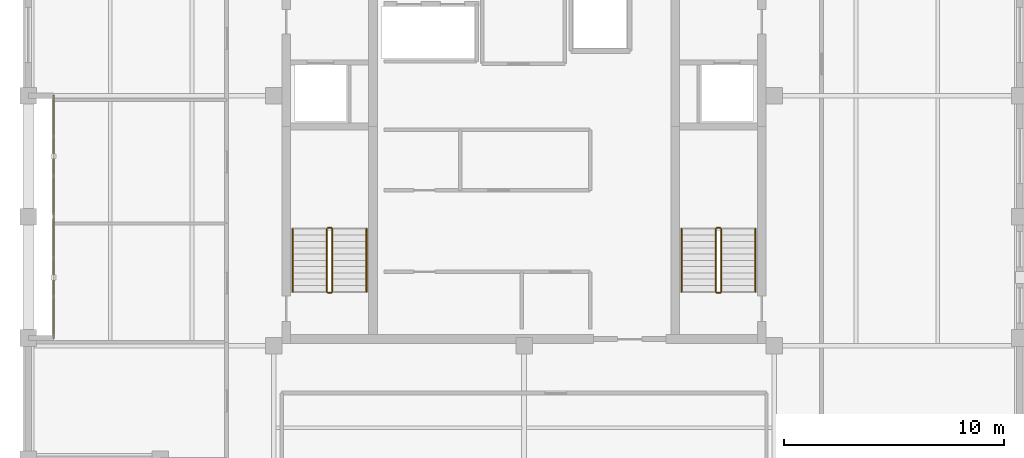
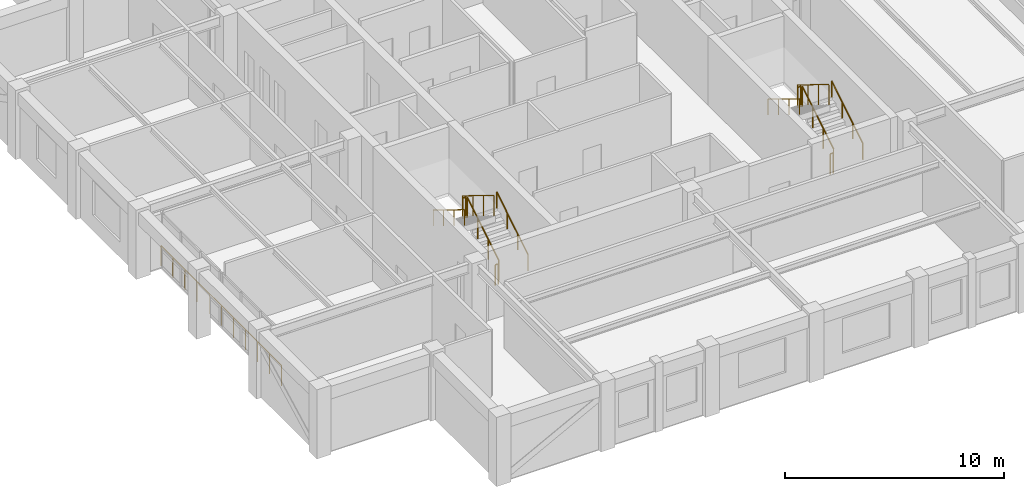
# One storey, part 10 of 10: 14 railings.
"""IFC4 building model written with IfcOpenShell, lengths in metres."""

from ifc_helpers import new_model, si_unit, direction, frame, origin, origin_2d, place, context, subcontext, project, spatial, circle, extrude, material, type_object, element, save


model = new_model("IFC4")

# Units and contexts
model_context = context("Model", 3, precision=1e-05, world=origin(), true_north=direction((0.0, 1.0)))
body_context = subcontext(model_context, "Body", "Model", "MODEL_VIEW")
ifc_project = project(units=[si_unit("LENGTHUNIT", "METRE"), si_unit("AREAUNIT", "SQUARE_METRE"), si_unit("VOLUMEUNIT", "CUBIC_METRE"), si_unit("PLANEANGLEUNIT", "RADIAN"), si_unit("MASSUNIT", "GRAM", prefix="KILO")], contexts=[model_context])

# Site, building, storey
site_placement = place(None, origin())
site = spatial("IfcSite", under=ifc_project, at=site_placement, CompositionType="ELEMENT")
building_placement = place(site_placement, origin())
building = spatial("IfcBuilding", under=site, at=building_placement, Name="Nhamokura Convention Tower", CompositionType="ELEMENT")
storey_placement = place(building_placement, frame((0.0, 0.0, 296.800048828125)))
storey = spatial("IfcBuildingStorey", under=building, at=storey_placement, Name="L73", CompositionType="ELEMENT", Elevation=296.800048828125)

# Railings
ifc_material_1 = material(Name="Anodised bronze stainless steel", Category="steel")
railing_type_1 = type_object("IfcRailingType", Name="StairWallHandrail_900", PredefinedType="HANDRAIL", material=ifc_material_1)
railing_1_placement = place(storey_placement, frame((24.85009765625, 23.10009765625, 0.175048828125)))
element("IfcRailing", 1, at=railing_1_placement, inside=storey, type_object=railing_type_1, Name="L73 ST-01 stair handrail 1", PredefinedType="HANDRAIL", context=body_context, shape_type="SweptSolid", body=[
    extrude(circle(Radius=0.02392578125, at=origin_2d()), frame((0.0, 0.0, 0.8759765625), z_axis=(0.0, 0.852159232446, 0.523282564737), x_axis=(-1.0, 0.0, 0.0)), (0.0, 0.0, 1.0), 3.34423828125),
    extrude(circle(Radius=0.02099609375, at=origin_2d()), origin(), (0.0, 0.0, 1.0), 0.851806640625),
    extrude(circle(Radius=0.02099609375, at=origin_2d()), frame((0.0, 0.949951171875, 0.583251953125)), (0.0, 0.0, 1.0), 0.851806640625),
    extrude(circle(Radius=0.02099609375, at=origin_2d()), frame((0.0, 1.89990234375, 1.166748046875)), (0.0, 0.0, 1.0), 0.851806640625),
    extrude(circle(Radius=0.02099609375, at=origin_2d()), frame((0.0, 2.849853515625, 1.75)), (0.0, 0.0, 1.0), 0.851806640625),
])
railing_2_placement = place(storey_placement, frame((21.5, 25.949951171875, 2.099853515625)))
element("IfcRailing", 2, at=railing_2_placement, inside=storey, type_object=railing_type_1, Name="L73 ST-01 stair handrail 2", PredefinedType="HANDRAIL", context=body_context, shape_type="SweptSolid", body=[
    extrude(circle(Radius=0.02392578125, at=origin_2d()), frame((0.0, 0.0, 0.8759765625), z_axis=(0.0, -0.852159232446, 0.523282564737), x_axis=(1.0, 0.0, 0.0)), (0.0, 0.0, 1.0), 3.34423828125),
    extrude(circle(Radius=0.02099609375, at=origin_2d()), origin(), (0.0, 0.0, 1.0), 0.851806640625),
    extrude(circle(Radius=0.02099609375, at=origin_2d()), frame((0.0, -0.949951171875, 0.583251953125)), (0.0, 0.0, 1.0), 0.851806640625),
    extrude(circle(Radius=0.02099609375, at=origin_2d()), frame((0.0, -1.89990234375, 1.166748046875)), (0.0, 0.0, 1.0), 0.851806640625),
    extrude(circle(Radius=0.02099609375, at=origin_2d()), frame((0.0, -2.849853515625, 1.75)), (0.0, 0.0, 1.0), 0.851806640625),
])
railing_3_placement = place(storey_placement, frame((42.5, 23.10009765625, 0.175048828125)))
element("IfcRailing", 3, at=railing_3_placement, inside=storey, type_object=railing_type_1, Name="L73 ST-02 stair handrail 1", PredefinedType="HANDRAIL", context=body_context, shape_type="SweptSolid", body=[
    extrude(circle(Radius=0.02392578125, at=origin_2d()), frame((0.0, 0.0, 0.8759765625), z_axis=(0.0, 0.852159232446, 0.523282564737), x_axis=(-1.0, 0.0, 0.0)), (0.0, 0.0, 1.0), 3.34423828125),
    extrude(circle(Radius=0.02099609375, at=origin_2d()), origin(), (0.0, 0.0, 1.0), 0.851806640625),
    extrude(circle(Radius=0.02099609375, at=origin_2d()), frame((0.0, 0.949951171875, 0.583251953125)), (0.0, 0.0, 1.0), 0.851806640625),
    extrude(circle(Radius=0.02099609375, at=origin_2d()), frame((0.0, 1.89990234375, 1.166748046875)), (0.0, 0.0, 1.0), 0.851806640625),
    extrude(circle(Radius=0.02099609375, at=origin_2d()), frame((0.0, 2.849853515625, 1.75)), (0.0, 0.0, 1.0), 0.851806640625),
])
railing_4_placement = place(storey_placement, frame((39.14990234375, 25.949951171875, 2.099853515625)))
element("IfcRailing", 4, at=railing_4_placement, inside=storey, type_object=railing_type_1, Name="L73 ST-02 stair handrail 2", PredefinedType="HANDRAIL", context=body_context, shape_type="SweptSolid", body=[
    extrude(circle(Radius=0.02392578125, at=origin_2d()), frame((0.0, 0.0, 0.8759765625), z_axis=(0.0, -0.852159232446, 0.523282564737), x_axis=(1.0, 0.0, 0.0)), (0.0, 0.0, 1.0), 3.34423828125),
    extrude(circle(Radius=0.02099609375, at=origin_2d()), origin(), (0.0, 0.0, 1.0), 0.851806640625),
    extrude(circle(Radius=0.02099609375, at=origin_2d()), frame((0.0, -0.949951171875, 0.583251953125)), (0.0, 0.0, 1.0), 0.851806640625),
    extrude(circle(Radius=0.02099609375, at=origin_2d()), frame((0.0, -1.89990234375, 1.166748046875)), (0.0, 0.0, 1.0), 0.851806640625),
    extrude(circle(Radius=0.02099609375, at=origin_2d()), frame((0.0, -2.849853515625, 1.75)), (0.0, 0.0, 1.0), 0.851806640625),
])
ifc_material_2 = material(Name="Painted tubular steel", Category="steel")
railing_type_2 = type_object("IfcRailingType", Name="StairWellGuardrail_1150", PredefinedType="GUARDRAIL", material=ifc_material_2)
railing_5_placement = place(storey_placement, frame((23.300048828125, 23.10009765625, 0.175048828125)))
element("IfcRailing", 5, at=railing_5_placement, inside=storey, type_object=railing_type_2, Name="L73 ST-01 stair guard 1", PredefinedType="GUARDRAIL", context=body_context, shape_type="SweptSolid", body=[
    extrude(circle(Radius=0.02392578125, at=origin_2d()), frame((0.0, 0.0, 1.1259765625), z_axis=(0.0, 0.852159232446, 0.523282564737), x_axis=(-1.0, 0.0, 0.0)), (0.0, 0.0, 1.0), 3.34423828125),
    extrude(circle(Radius=0.02099609375, at=origin_2d()), origin(), (0.0, 0.0, 1.0), 1.101806640625),
    extrude(circle(Radius=0.02099609375, at=origin_2d()), frame((0.0, 0.949951171875, 0.583251953125)), (0.0, 0.0, 1.0), 1.101806640625),
    extrude(circle(Radius=0.02099609375, at=origin_2d()), frame((0.0, 1.89990234375, 1.166748046875)), (0.0, 0.0, 1.0), 1.101806640625),
    extrude(circle(Radius=0.02099609375, at=origin_2d()), frame((0.0, 2.849853515625, 1.75)), (0.0, 0.0, 1.0), 1.101806640625),
])
railing_6_placement = place(storey_placement, frame((23.25, 26.0, 1.925048828125)))
element("IfcRailing", 6, at=railing_6_placement, inside=storey, type_object=railing_type_2, Name="L73 ST-01 stair guard 2", PredefinedType="GUARDRAIL", context=body_context, shape_type="SweptSolid", body=[
    extrude(circle(Radius=0.02392578125, at=origin_2d()), frame((0.0, 0.0, 1.1259765625), z_axis=(-1.0, 0.0, 0.0), x_axis=(0.0, -1.0, 0.0)), (0.0, 0.0, 1.0), 0.14990234375),
    extrude(circle(Radius=0.02099609375, at=origin_2d()), origin(), (0.0, 0.0, 1.0), 1.101806640625),
    extrude(circle(Radius=0.02099609375, at=origin_2d()), frame((-0.14990234375, 0.0, 0.0)), (0.0, 0.0, 1.0), 1.101806640625),
])
railing_7_placement = place(storey_placement, frame((23.050048828125, 25.949951171875, 2.099853515625)))
element("IfcRailing", 7, at=railing_7_placement, inside=storey, type_object=railing_type_2, Name="L73 ST-01 stair guard 3", PredefinedType="GUARDRAIL", context=body_context, shape_type="SweptSolid", body=[
    extrude(circle(Radius=0.02392578125, at=origin_2d()), frame((0.0, 0.0, 1.1259765625), z_axis=(0.0, -0.852159232446, 0.523282564737), x_axis=(1.0, 0.0, 0.0)), (0.0, 0.0, 1.0), 3.34423828125),
    extrude(circle(Radius=0.02099609375, at=origin_2d()), origin(), (0.0, 0.0, 1.0), 1.101806640625),
    extrude(circle(Radius=0.02099609375, at=origin_2d()), frame((0.0, -0.949951171875, 0.583251953125)), (0.0, 0.0, 1.0), 1.101806640625),
    extrude(circle(Radius=0.02099609375, at=origin_2d()), frame((0.0, -1.89990234375, 1.166748046875)), (0.0, 0.0, 1.0), 1.101806640625),
    extrude(circle(Radius=0.02099609375, at=origin_2d()), frame((0.0, -2.849853515625, 1.75)), (0.0, 0.0, 1.0), 1.101806640625),
])
railing_8_placement = place(storey_placement, frame((23.25, 23.050048828125, 0.0)))
element("IfcRailing", 8, at=railing_8_placement, inside=storey, type_object=railing_type_2, Name="L73 ST-01 stair guard 4", PredefinedType="GUARDRAIL", context=body_context, shape_type="SweptSolid", body=[
    extrude(circle(Radius=0.02392578125, at=origin_2d()), frame((0.0, 0.0, 1.1259765625), z_axis=(-1.0, 0.0, 0.0), x_axis=(0.0, -1.0, 0.0)), (0.0, 0.0, 1.0), 0.14990234375),
    extrude(circle(Radius=0.02099609375, at=origin_2d()), origin(), (0.0, 0.0, 1.0), 1.101806640625),
    extrude(circle(Radius=0.02099609375, at=origin_2d()), frame((-0.14990234375, 0.0, 0.0)), (0.0, 0.0, 1.0), 1.101806640625),
])
railing_9_placement = place(storey_placement, frame((40.949951171875, 23.10009765625, 0.175048828125)))
element("IfcRailing", 9, at=railing_9_placement, inside=storey, type_object=railing_type_2, Name="L73 ST-02 stair guard 1", PredefinedType="GUARDRAIL", context=body_context, shape_type="SweptSolid", body=[
    extrude(circle(Radius=0.02392578125, at=origin_2d()), frame((0.0, 0.0, 1.1259765625), z_axis=(0.0, 0.852159232446, 0.523282564737), x_axis=(-1.0, 0.0, 0.0)), (0.0, 0.0, 1.0), 3.34423828125),
    extrude(circle(Radius=0.02099609375, at=origin_2d()), origin(), (0.0, 0.0, 1.0), 1.101806640625),
    extrude(circle(Radius=0.02099609375, at=origin_2d()), frame((0.0, 0.949951171875, 0.583251953125)), (0.0, 0.0, 1.0), 1.101806640625),
    extrude(circle(Radius=0.02099609375, at=origin_2d()), frame((0.0, 1.89990234375, 1.166748046875)), (0.0, 0.0, 1.0), 1.101806640625),
    extrude(circle(Radius=0.02099609375, at=origin_2d()), frame((0.0, 2.849853515625, 1.75)), (0.0, 0.0, 1.0), 1.101806640625),
])
railing_10_placement = place(storey_placement, frame((40.89990234375, 26.0, 1.925048828125)))
element("IfcRailing", 10, at=railing_10_placement, inside=storey, type_object=railing_type_2, Name="L73 ST-02 stair guard 2", PredefinedType="GUARDRAIL", context=body_context, shape_type="SweptSolid", body=[
    extrude(circle(Radius=0.02392578125, at=origin_2d()), frame((0.0, 0.0, 1.1259765625), z_axis=(-1.0, 0.0, 0.0), x_axis=(0.0, -1.0, 0.0)), (0.0, 0.0, 1.0), 0.14990234375),
    extrude(circle(Radius=0.02099609375, at=origin_2d()), origin(), (0.0, 0.0, 1.0), 1.101806640625),
    extrude(circle(Radius=0.02099609375, at=origin_2d()), frame((-0.14990234375, 0.0, 0.0)), (0.0, 0.0, 1.0), 1.101806640625),
])
railing_11_placement = place(storey_placement, frame((40.699951171875, 25.949951171875, 2.099853515625)))
element("IfcRailing", 11, at=railing_11_placement, inside=storey, type_object=railing_type_2, Name="L73 ST-02 stair guard 3", PredefinedType="GUARDRAIL", context=body_context, shape_type="SweptSolid", body=[
    extrude(circle(Radius=0.02392578125, at=origin_2d()), frame((0.0, 0.0, 1.1259765625), z_axis=(0.0, -0.852159232446, 0.523282564737), x_axis=(1.0, 0.0, 0.0)), (0.0, 0.0, 1.0), 3.34423828125),
    extrude(circle(Radius=0.02099609375, at=origin_2d()), origin(), (0.0, 0.0, 1.0), 1.101806640625),
    extrude(circle(Radius=0.02099609375, at=origin_2d()), frame((0.0, -0.949951171875, 0.583251953125)), (0.0, 0.0, 1.0), 1.101806640625),
    extrude(circle(Radius=0.02099609375, at=origin_2d()), frame((0.0, -1.89990234375, 1.166748046875)), (0.0, 0.0, 1.0), 1.101806640625),
    extrude(circle(Radius=0.02099609375, at=origin_2d()), frame((0.0, -2.849853515625, 1.75)), (0.0, 0.0, 1.0), 1.101806640625),
])
railing_12_placement = place(storey_placement, frame((40.89990234375, 23.050048828125, 0.0)))
element("IfcRailing", 12, at=railing_12_placement, inside=storey, type_object=railing_type_2, Name="L73 ST-02 stair guard 4", PredefinedType="GUARDRAIL", context=body_context, shape_type="SweptSolid", body=[
    extrude(circle(Radius=0.02392578125, at=origin_2d()), frame((0.0, 0.0, 1.1259765625), z_axis=(-1.0, 0.0, 0.0), x_axis=(0.0, -1.0, 0.0)), (0.0, 0.0, 1.0), 0.14990234375),
    extrude(circle(Radius=0.02099609375, at=origin_2d()), origin(), (0.0, 0.0, 1.0), 1.101806640625),
    extrude(circle(Radius=0.02099609375, at=origin_2d()), frame((-0.14990234375, 0.0, 0.0)), (0.0, 0.0, 1.0), 1.101806640625),
])
ifc_material_3 = material(Name="Anodised bronze stainless steel", Category="steel")
railing_type_3 = type_object("IfcRailingType", Name="TerraceGuardrail_1150", PredefinedType="GUARDRAIL", material=ifc_material_3)
for number, where, name in (
    (13, (10.64990234375, 21.0, 0.0), "L73 Scale-Slot Edge Guardrail WEST 1"),
    (14, (10.64990234375, 26.5, 0.0), "L73 Scale-Slot Edge Guardrail WEST 2"),
):
    element("IfcRailing", number, at=place(storey_placement, frame(where)), inside=storey, type_object=railing_type_3, Name=name, PredefinedType="GUARDRAIL", context=body_context, shape_type="SweptSolid", body=[
        extrude(circle(Radius=0.02392578125, at=origin_2d()), frame((0.0, 0.0, 1.1259765625), z_axis=(0.0, 1.0, 0.0), x_axis=(-1.0, 0.0, 0.0)), (0.0, 0.0, 1.0), 5.5),
        extrude(circle(Radius=0.02099609375, at=origin_2d()), origin(), (0.0, 0.0, 1.0), 1.101806640625),
        extrude(circle(Radius=0.02099609375, at=origin_2d()), frame((0.0, 1.10009765625, 0.0)), (0.0, 0.0, 1.0), 1.101806640625),
        extrude(circle(Radius=0.02099609375, at=origin_2d()), frame((0.0, 2.199951171875, 0.0)), (0.0, 0.0, 1.0), 1.101806640625),
        extrude(circle(Radius=0.02099609375, at=origin_2d()), frame((0.0, 3.300048828125, 0.0)), (0.0, 0.0, 1.0), 1.101806640625),
        extrude(circle(Radius=0.02099609375, at=origin_2d()), frame((0.0, 4.39990234375, 0.0)), (0.0, 0.0, 1.0), 1.101806640625),
        extrude(circle(Radius=0.02099609375, at=origin_2d()), frame((0.0, 5.5, 0.0)), (0.0, 0.0, 1.0), 1.101806640625),
    ])

save(model, "model.ifc")
